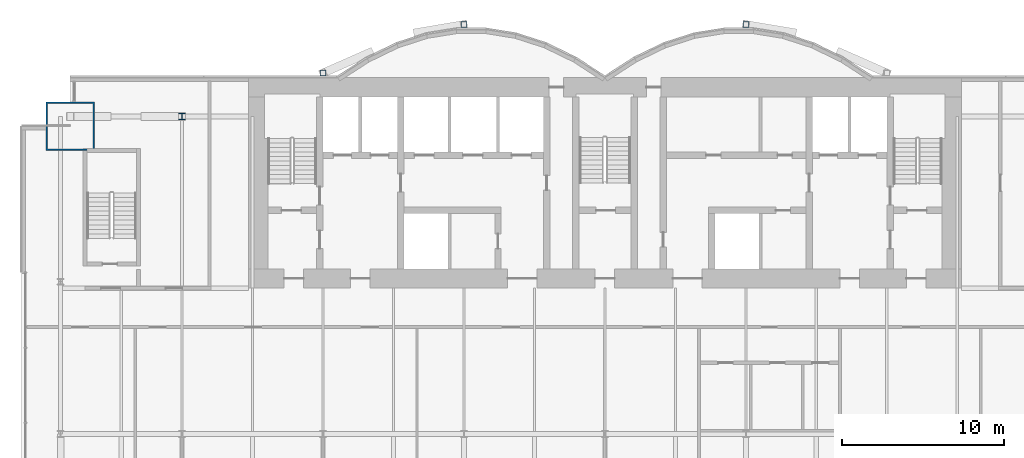
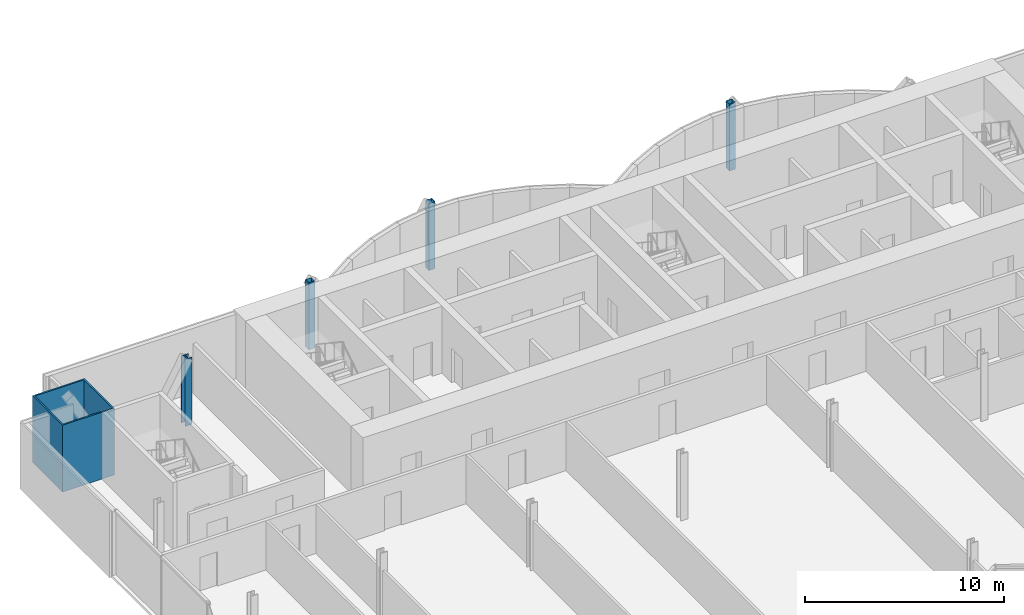
# One storey, part 2 of 21: 5 columns.
"""IFC4 building model written with IfcOpenShell, lengths in metres."""

from ifc_helpers import new_model, si_unit, direction, frame, origin, origin_2d, place, context, subcontext, project, spatial, hollow_rectangle, i_section, extrude, material, material_profile, profile_set, type_object, element, save


model = new_model("IFC4")

# Units and contexts
model_context = context("Model", 3, precision=1e-05, world=origin(), true_north=direction((0.0, 1.0)))
body_context = subcontext(model_context, "Body", "Model", "MODEL_VIEW")
ifc_project = project(units=[si_unit("LENGTHUNIT", "METRE"), si_unit("AREAUNIT", "SQUARE_METRE"), si_unit("VOLUMEUNIT", "CUBIC_METRE"), si_unit("PLANEANGLEUNIT", "RADIAN"), si_unit("MASSUNIT", "GRAM", prefix="KILO")], contexts=[model_context])

# Site, building, storey
site_placement = place(None, origin())
site = spatial("IfcSite", under=ifc_project, at=site_placement, CompositionType="ELEMENT")
building_placement = place(site_placement, origin())
building = spatial("IfcBuilding", under=site, at=building_placement, Name="Bicima Exchange Tower", CompositionType="ELEMENT")
storey_placement = place(building_placement, frame((0.0, 0.0, 98.10009765625)))
storey = spatial("IfcBuildingStorey", under=building, at=storey_placement, Name="L20", CompositionType="ELEMENT", Elevation=98.10009765625)

# Columns
ifc_material_1 = material(Name="Steel ASTM A572 Gr 50", Category="steel")
ifc_material_profile_1 = material_profile(ifc_material_1, hollow_rectangle(XDim=3.0, YDim=3.0, WallThickness=0.090087890625, at=origin_2d()))
ifc_profile_set_1 = profile_set([ifc_material_profile_1], Name="Steel ASTM A572 Gr 50")
column_type_1 = type_object("IfcColumnType", Name="Mega column BOX 3000x3000x90", PredefinedType="COLUMN", material=ifc_profile_set_1)
column_1_placement = place(storey_placement, frame((-33.0, -3.0, 0.0), z_axis=(0.0, 0.0, 1.0), x_axis=(1.0, 0.0, 0.0)))
element("IfcColumn", 1, at=column_1_placement, inside=storey, type_object=column_type_1, Name="Mega column mega-33.0r", PredefinedType="COLUMN", context=body_context, shape_type="SweptSolid", body=[
    extrude(hollow_rectangle(XDim=3.0, YDim=3.0, WallThickness=0.090087890625, at=origin_2d()), origin(), (0.0, 0.0, 1.0), 4.099853515625),
])
ifc_material_2 = material(Name="Steel ASTM A992 Gr 50", Category="steel")
ifc_material_profile_2 = material_profile(ifc_material_2, i_section(OverallWidth=0.398681640625, OverallDepth=0.393798828125, WebThickness=0.022705078125, FlangeThickness=0.03662109375, at=origin_2d()))
ifc_profile_set_2 = profile_set([ifc_material_profile_2], Name="Steel ASTM A992 Gr 50")
column_type_2 = type_object("IfcColumnType", Name="Perimeter column W14x193", PredefinedType="COLUMN", material=ifc_profile_set_2)
column_2_placement = place(storey_placement, frame((-26.10009765625, -2.39990234375, 0.0), z_axis=(0.0, 0.0, 1.0), x_axis=(1.0, 0.0, 0.0)))
element("IfcColumn", 2, at=column_2_placement, inside=storey, type_object=column_type_2, Name="Perimeter column grav-26.1r", PredefinedType="COLUMN", context=body_context, shape_type="SweptSolid", body=[
    extrude(i_section(OverallWidth=0.398681640625, OverallDepth=0.393798828125, WebThickness=0.022705078125, FlangeThickness=0.03662109375, at=origin_2d()), origin(), (0.0, 0.0, 1.0), 4.099853515625),
])
ifc_material_profile_3 = material_profile(ifc_material_1, hollow_rectangle(XDim=0.355712890625, YDim=0.355712890625, WallThickness=0.01171875, at=origin_2d()))
ifc_profile_set_3 = profile_set([ifc_material_profile_3], Name="Steel ASTM A572 Gr 50")
column_type_3 = type_object("IfcColumnType", Name="Rear pilaster HSS14x14x1/2", PredefinedType="COLUMN", material=ifc_profile_set_3)
for number, where, z_axis, x_axis, name in (
    (3, (-8.699951171875, 3.26904296875, 0.0), (0.0, 0.0, 1.0), (1.0, 0.0, 0.0), "Rear pilaster rexo-8.7r"),
    (4, (-17.39990234375, 0.278076171875, 0.0), (0.0, 0.0, 1.0), (1.0, 0.0, 0.0), "Rear pilaster rexo-17.4r"),
    (5, (8.699951171875, 3.26904296875, 0.0), (0.0, 0.0, 1.0), (1.0, 0.0, 0.0), "Rear pilaster rexo+8.7r"),
):
    element("IfcColumn", number, at=place(storey_placement, frame(where, z_axis=z_axis, x_axis=x_axis)), inside=storey, type_object=column_type_3, Name=name, PredefinedType="COLUMN", context=body_context, shape_type="SweptSolid", body=[
        extrude(hollow_rectangle(XDim=0.355712890625, YDim=0.355712890625, WallThickness=0.01171875, at=origin_2d()), origin(), (0.0, 0.0, 1.0), 4.099853515625),
    ])

save(model, "model.ifc")
